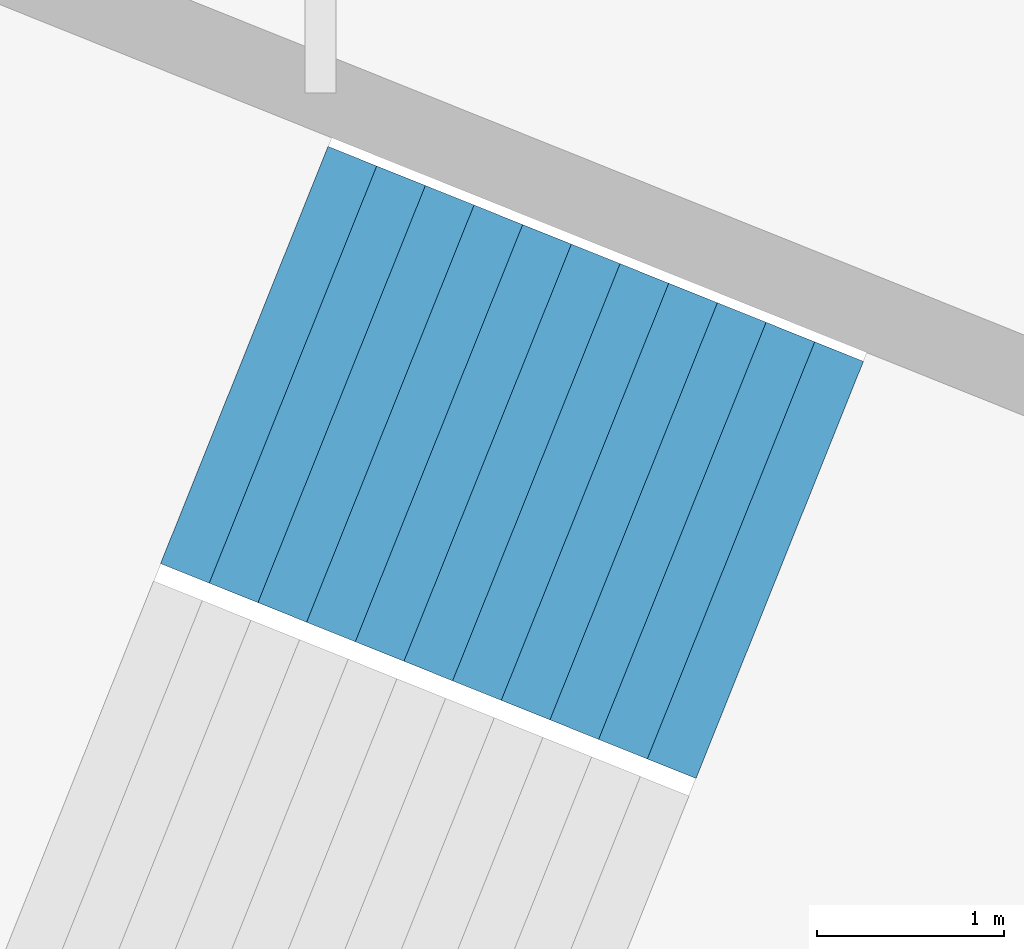
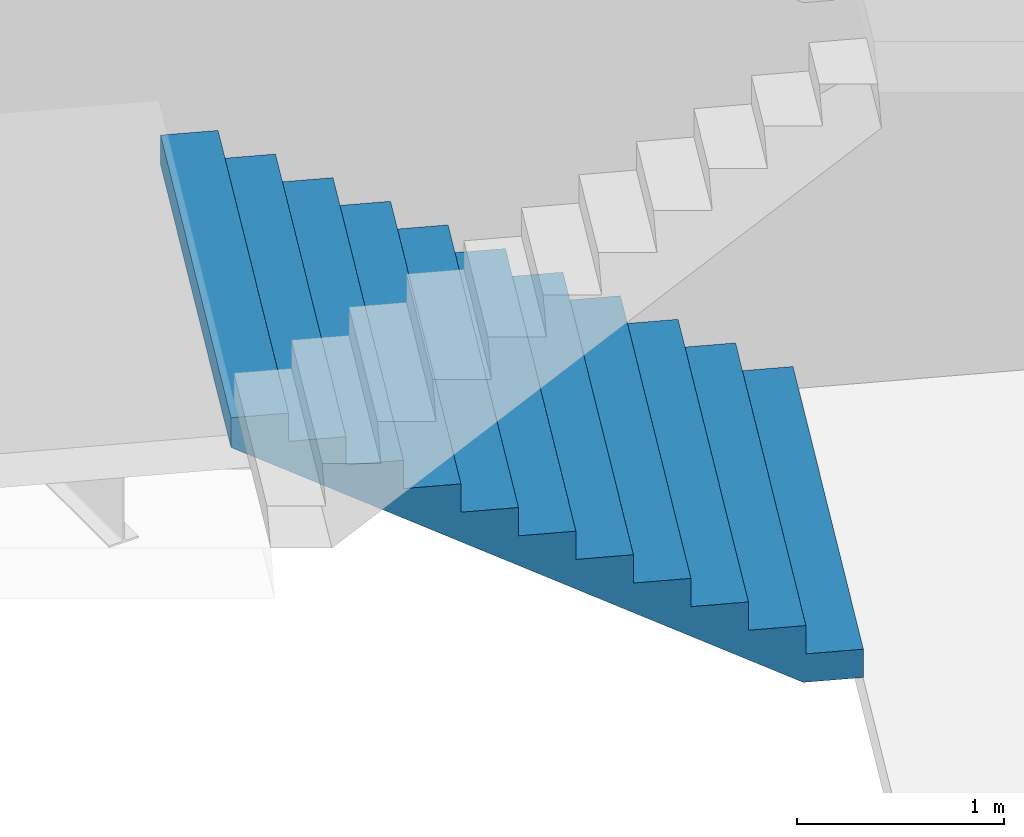
# One storey, part 36 of 74: 1 stair flight, 1 element without a shape of its own.
"""IFC4 building model written with IfcOpenShell, lengths in metres."""

import ifcopenshell
import ifcopenshell.guid

model = None  # the IFC model being written
_history = None  # IfcOwnerHistory: only IFC2X3 demands one
_inside = {}  # id of a spatial element -> (the spatial element, [elements in it])
_under = {}  # id of a project, library or spatial element -> (it, [spatial elements below it])
_declared = {}  # id of a project -> (the project, [libraries it declares])
_typed = {}  # id of a type object -> (the type object, [elements of that type])
_made_of = {}  # id of a material, layer set ... -> (it, [elements and type objects made of it])


def new_model(schema):
    """Start an empty IFC model of exactly this schema.

    Asked for "IFC4X3", IfcOpenShell would pick the latest addendum, in which some entities
    have other attributes; the version numbers below select the first issue.
    IFC2X3 requires an IfcOwnerHistory on every rooted entity: one is made here for all.
    """
    global model, _history
    if schema == "IFC4X3":
        model = ifcopenshell.file(schema_version=(4, 3, 0, 0))
    else:
        model = ifcopenshell.file(schema=schema)
    _inside.clear()
    _under.clear()
    _declared.clear()
    _typed.clear()
    _made_of.clear()
    _history = None
    if model.schema == "IFC2X3":
        org = make("IfcOrganization", Name="unknown")
        user = make(
            "IfcPersonAndOrganization",
            ThePerson=make("IfcPerson", FamilyName="unknown"),
            TheOrganization=org,
        )
        app = make(
            "IfcApplication",
            ApplicationDeveloper=org,
            Version="unknown",
            ApplicationFullName="unknown",
            ApplicationIdentifier="unknown",
        )
        _history = make(
            "IfcOwnerHistory",
            OwningUser=user,
            OwningApplication=app,
            ChangeAction="ADDED",
            CreationDate=0,
        )
    return model


def make(cls, **values):
    """One entity of the class cls with the attributes given. An attribute that is None is left unset."""
    return model.create_entity(
        cls, **{name: value for name, value in values.items() if value is not None}
    )


def rooted(cls, **values):
    """An entity with a GlobalId (a new one), such as an element, a storey or a relation."""
    return make(cls, GlobalId=ifcopenshell.guid.new(), OwnerHistory=_history, **values)


def si_unit(unit_type, name, prefix=None):
    """IfcSIUnit, for example si_unit("LENGTHUNIT", "METRE", prefix="MILLI")."""
    return make("IfcSIUnit", UnitType=unit_type, Prefix=prefix, Name=name)


def assignment(units):
    """IfcUnitAssignment: the units of a project."""
    return None if units is None else make("IfcUnitAssignment", Units=units)


def point(xyz):
    """IfcCartesianPoint."""
    return None if xyz is None else make("IfcCartesianPoint", Coordinates=xyz)


def direction(xyz):
    """IfcDirection."""
    return None if xyz is None else make("IfcDirection", DirectionRatios=xyz)


def frame(location, z_axis=None, x_axis=None):
    """IfcAxis2Placement3D, a coordinate frame: its origin and axes. An axis left out is left unset."""
    return make(
        "IfcAxis2Placement3D",
        Location=point(location),
        Axis=direction(z_axis),
        RefDirection=direction(x_axis),
    )


def origin():
    """The frame at (0, 0, 0) with its axes left unset."""
    return frame((0.0, 0.0, 0.0))


def place(relative_to, where):
    """IfcLocalPlacement: puts the frame where relative to a parent placement (None: the world)."""
    return make(
        "IfcLocalPlacement", PlacementRelTo=relative_to, RelativePlacement=where
    )


def context(
    kind, dimensions, precision=None, world=None, true_north=None, identifier=None
):
    """IfcGeometricRepresentationContext, for example the 3D "Model" context."""
    return make(
        "IfcGeometricRepresentationContext",
        ContextIdentifier=identifier,
        ContextType=kind,
        CoordinateSpaceDimension=dimensions,
        Precision=precision,
        WorldCoordinateSystem=world,
        TrueNorth=true_north,
    )


def subcontext(parent, identifier, kind, view, scale=None):
    """IfcGeometricRepresentationSubContext, for example "Body" below "Model"."""
    return make(
        "IfcGeometricRepresentationSubContext",
        ContextIdentifier=identifier,
        ContextType=kind,
        ParentContext=parent,
        TargetScale=scale,
        TargetView=view,
    )


def project(units=None, contexts=None):
    """IfcProject with its units and contexts."""
    return rooted(
        "IfcProject",
        Name="project",
        RepresentationContexts=contexts,
        UnitsInContext=assignment(units),
    )


def spatial(cls, under=None, at=None, **own):
    """A site, building, storey or space (cls), placed at a placement, below another one or the project."""
    s = rooted(cls, ObjectPlacement=at, **own)
    if under is not None:
        _under.setdefault(under.id(), (under, []))[1].append(s)
    return s


def point_list(points):
    """IfcCartesianPointList2D or 3D."""
    cls = (
        "IfcCartesianPointList2D" if len(points[0]) == 2 else "IfcCartesianPointList3D"
    )
    return make(cls, CoordList=points)


def triangles(points, corners, closed=None, point_numbers=None):
    """IfcTriangulatedFaceSet: each triangle names its three corners, points numbered from 1."""
    return make(
        "IfcTriangulatedFaceSet",
        Coordinates=point_list(points),
        Closed=closed,
        CoordIndex=corners,
        PnIndex=point_numbers,
    )


def shape(context_of_items, identifier, shape_type, items):
    """IfcShapeRepresentation: the items that make up one representation, for example the "Body"."""
    return make(
        "IfcShapeRepresentation",
        ContextOfItems=context_of_items,
        RepresentationIdentifier=identifier,
        RepresentationType=shape_type,
        Items=items,
    )


def material(Name=None, Category=None):
    """IfcMaterial."""
    return make("IfcMaterial", Name=Name, Category=Category)


def made_of(thing, what):
    """Note that an element or type object is made of a material, layer set ...; save() writes the relation."""
    if what is not None:
        _made_of.setdefault(what.id(), (what, []))[1].append(thing)
    return thing


def type_object(cls, material=None, **own):
    """A type object (cls), such as IfcWallType, which elements share."""
    return made_of(rooted(cls, **own), material)


def element(
    cls,
    number,
    at=None,
    inside=None,
    cuts=None,
    type_object=None,
    material=None,
    context=None,
    identifier="Body",
    shape_type=None,
    held_by="IfcProductDefinitionShape",
    body=None,
    shapes=None,
    **own,
):
    """One element of the class cls, such as IfcWall. Its Tag is "e" and its number.

    at: its placement. inside: the storey or other place that contains it. cuts: it is an
    opening in that element (IfcRelVoidsElement). A single representation is given by context,
    identifier, shape_type and body (its items); several are given by shapes. held_by: the class
    of the entity that holds the representations. save() writes the other relations.
    """
    e = rooted(cls, Tag="e%d" % number, ObjectPlacement=at, **own)
    if body is not None:
        shapes = [shape(context, identifier, shape_type, body)]
    if shapes is not None:
        e.Representation = make(held_by, Representations=shapes)
    if inside is not None:
        _inside.setdefault(inside.id(), (inside, []))[1].append(e)
    if cuts is not None:
        rooted(
            "IfcRelVoidsElement", RelatingBuildingElement=cuts, RelatedOpeningElement=e
        )
    if type_object is not None:
        _typed.setdefault(type_object.id(), (type_object, []))[1].append(e)
    return made_of(e, material)


def aggregate(whole, parts):
    """IfcRelAggregates: a whole, such as a stair, and the parts it consists of."""
    return rooted("IfcRelAggregates", RelatingObject=whole, RelatedObjects=parts)


def save(model, path):
    """Write the relations noted so far, then the file.

    IfcRelAggregates (storeys below a building ...), IfcRelContainedInSpatialStructure (elements
    in a storey), IfcRelDefinesByType, IfcRelAssociatesMaterial and IfcRelDeclares: one each for
    every whole, place, type object, material and project.
    """
    for whole, parts in _under.values():
        aggregate(whole, parts)
    for where, things in _inside.values():
        rooted(
            "IfcRelContainedInSpatialStructure",
            RelatedElements=things,
            RelatingStructure=where,
        )
    for kind, things in _typed.values():
        rooted("IfcRelDefinesByType", RelatedObjects=things, RelatingType=kind)
    for what, things in _made_of.values():
        rooted("IfcRelAssociatesMaterial", RelatedObjects=things, RelatingMaterial=what)
    for by, libraries in _declared.values():
        rooted("IfcRelDeclares", RelatingContext=by, RelatedDefinitions=libraries)
    model.write(path)


model = new_model("IFC4")

# Units and contexts
model_context = context("Model", 3, precision=1e-05, world=origin(), true_north=direction((0.0, 1.0)))
body_context = subcontext(model_context, "Body", "Model", "MODEL_VIEW")
ifc_project = project(units=[si_unit("LENGTHUNIT", "METRE"), si_unit("AREAUNIT", "SQUARE_METRE"), si_unit("VOLUMEUNIT", "CUBIC_METRE"), si_unit("PLANEANGLEUNIT", "RADIAN"), si_unit("MASSUNIT", "GRAM", prefix="KILO")], contexts=[model_context])

# Site, building, storey
site_placement = place(None, origin())
site = spatial("IfcSite", under=ifc_project, at=site_placement, CompositionType="ELEMENT")
building_placement = place(site_placement, origin())
building = spatial("IfcBuilding", under=site, at=building_placement, Name="Lantaw Convention Tower", CompositionType="ELEMENT")
storey_placement = place(building_placement, frame((0.0, 0.0, 6.5)))
storey = spatial("IfcBuildingStorey", under=building, at=storey_placement, Name="L01", CompositionType="ELEMENT", Elevation=6.5)

# Stair, stair flight
ifc_material = material(Name="Concrete C35/45", Category="concrete")
stair_type = type_object("IfcStairType", Name="Exit stair 2400 riser 166.67 in 4 flights", PredefinedType="HALF_TURN_STAIR", material=ifc_material)
stair_placement = place(storey_placement, origin())
stair = element("IfcStair", 1, at=stair_placement, inside=storey, type_object=stair_type, Name="Podium exit stair P8 L01", PredefinedType="HALF_TURN_STAIR")
stair_flight_type = type_object("IfcStairFlightType", Name="Stair flight 2400 riser 166.67", PredefinedType="STRAIGHT", material=ifc_material)
stair_flight_placement = place(storey_placement, frame((-35.799560546875, 15.71826171875, 0.0), z_axis=(0.0, 0.0, 1.0), x_axis=(-0.928015168305, 0.372542410198, 0.0)))
stair_flight = element("IfcStairFlight", 2, at=stair_flight_placement, type_object=stair_flight_type, Name="P8 flight 1", NumberOfRisers=12, NumberOfTreads=11, PredefinedType="STRAIGHT", RiserHeight=0.166666667, TreadLength=0.28, context=body_context, shape_type="Tessellation", body=[
    triangles([(0.0, 1.199951171875, 0.0), (0.0, 1.199951171875, 0.166666667), (0.28, 1.199951171875, 0.0), (0.28, 1.199951171875, 0.166666667), (0.28, 1.199951171875, 0.333333334), (0.29307345806906726, 1.199951171875, 0.0), (0.29307345806906726, 1.199951171875, 0.333333334), (0.56, 1.199951171875, 0.15888484670522965), (0.56, 1.199951171875, 0.333333334), (0.56, 1.199951171875, 0.500000001), (0.8400000000000001, 1.199951171875, 0.3255515137052296), (0.8400000000000001, 1.199951171875, 0.500000001), (0.8400000000000001, 1.199951171875, 0.666666668), (1.12, 1.199951171875, 0.4922181807052296), (1.12, 1.199951171875, 0.666666668), (1.12, 1.199951171875, 0.833333335), (1.4000000000000001, 1.199951171875, 0.6588848477052296), (1.4000000000000001, 1.199951171875, 0.833333335), (1.4000000000000001, 1.199951171875, 1.000000002), (1.6800000000000002, 1.199951171875, 0.8255515147052296), (1.6800000000000002, 1.199951171875, 1.000000002), (1.6800000000000002, 1.199951171875, 1.166666669), (1.9600000000000002, 1.199951171875, 0.9922181817052296), (1.9600000000000002, 1.199951171875, 1.166666669), (1.9600000000000002, 1.199951171875, 1.333333336), (2.24, 1.199951171875, 1.1588848487052295), (2.24, 1.199951171875, 1.333333336), (2.24, 1.199951171875, 1.5000000029999998), (2.5200000000000005, 1.199951171875, 1.3255515157052296), (2.5200000000000005, 1.199951171875, 1.5000000029999998), (2.5200000000000005, 1.199951171875, 1.66666667), (2.8000000000000003, 1.199951171875, 1.4922181827052294), (2.8000000000000003, 1.199951171875, 1.66666667), (2.8000000000000003, 1.199951171875, 1.833333337), (3.08, 1.199951171875, 1.6588848497052293), (3.08, 1.199951171875, 1.833333337), (0.0, -1.199951171875, 0.0), (0.0, -1.199951171875, 0.166666667), (0.28, -1.199951171875, 0.0), (0.28, -1.199951171875, 0.166666667), (0.28, -1.199951171875, 0.333333334), (0.29307345806906726, -1.199951171875, 0.0), (0.29307345806906726, -1.199951171875, 0.333333334), (0.56, -1.199951171875, 0.15888484670522965), (0.56, -1.199951171875, 0.333333334), (0.56, -1.199951171875, 0.500000001), (0.8400000000000001, -1.199951171875, 0.3255515137052296), (0.8400000000000001, -1.199951171875, 0.500000001), (0.8400000000000001, -1.199951171875, 0.666666668), (1.12, -1.199951171875, 0.4922181807052296), (1.12, -1.199951171875, 0.666666668), (1.12, -1.199951171875, 0.833333335), (1.4000000000000001, -1.199951171875, 0.6588848477052296), (1.4000000000000001, -1.199951171875, 0.833333335), (1.4000000000000001, -1.199951171875, 1.000000002), (1.6800000000000002, -1.199951171875, 0.8255515147052296), (1.6800000000000002, -1.199951171875, 1.000000002), (1.6800000000000002, -1.199951171875, 1.166666669), (1.9600000000000002, -1.199951171875, 0.9922181817052296), (1.9600000000000002, -1.199951171875, 1.166666669), (1.9600000000000002, -1.199951171875, 1.333333336), (2.24, -1.199951171875, 1.1588848487052295), (2.24, -1.199951171875, 1.333333336), (2.24, -1.199951171875, 1.5000000029999998), (2.5200000000000005, -1.199951171875, 1.3255515157052296), (2.5200000000000005, -1.199951171875, 1.5000000029999998), (2.5200000000000005, -1.199951171875, 1.66666667), (2.8000000000000003, -1.199951171875, 1.4922181827052294), (2.8000000000000003, -1.199951171875, 1.66666667), (2.8000000000000003, -1.199951171875, 1.833333337), (3.08, -1.199951171875, 1.6588848497052293), (3.08, -1.199951171875, 1.833333337), (0.0, 0.239990234375, 0.166666667), (0.0, 0.239990234375, 0.0), (0.0, 0.1199951171875, 0.166666667), (0.0, 0.1199951171875, 0.0), (0.0, 0.0, 0.166666667), (0.0, 0.0, 0.0), (0.0, -0.1199951171875, 0.166666667), (0.0, -0.1199951171875, 0.0), (0.0, -0.239990234375, 0.166666667), (0.0, -0.239990234375, 0.0), (0.28, 0.239990234375, 0.333333334), (0.28, 0.239990234375, 0.166666667), (0.28, 0.1199951171875, 0.333333334), (0.28, 0.1199951171875, 0.166666667), (0.28, 0.0, 0.333333334), (0.28, 0.0, 0.166666667), (0.28, -0.1199951171875, 0.333333334), (0.28, -0.1199951171875, 0.166666667), (0.28, -0.239990234375, 0.333333334), (0.28, -0.239990234375, 0.166666667), (0.56, 0.239990234375, 0.500000001), (0.56, 0.239990234375, 0.333333334), (0.56, 0.1199951171875, 0.500000001), (0.56, 0.1199951171875, 0.333333334), (0.56, 0.0, 0.500000001), (0.56, 0.0, 0.333333334), (0.56, -0.1199951171875, 0.500000001), (0.56, -0.1199951171875, 0.333333334), (0.56, -0.239990234375, 0.500000001), (0.56, -0.239990234375, 0.333333334), (0.8400000000000001, 0.239990234375, 0.666666668), (0.8400000000000001, 0.239990234375, 0.500000001), (0.8400000000000001, 0.1199951171875, 0.666666668), (0.8400000000000001, 0.1199951171875, 0.500000001), (0.8400000000000001, 0.0, 0.666666668), (0.8400000000000001, 0.0, 0.500000001), (0.8400000000000001, -0.1199951171875, 0.666666668), (0.8400000000000001, -0.1199951171875, 0.500000001), (0.8400000000000001, -0.239990234375, 0.666666668), (0.8400000000000001, -0.239990234375, 0.500000001), (1.12, 0.239990234375, 0.833333335), (1.12, 0.239990234375, 0.666666668), (1.12, 0.1199951171875, 0.833333335), (1.12, 0.1199951171875, 0.666666668), (1.12, 0.0, 0.833333335), (1.12, 0.0, 0.666666668), (1.12, -0.1199951171875, 0.833333335), (1.12, -0.1199951171875, 0.666666668), (1.12, -0.239990234375, 0.833333335), (1.12, -0.239990234375, 0.666666668), (1.4000000000000001, 0.239990234375, 1.000000002), (1.4000000000000001, 0.239990234375, 0.833333335), (1.4000000000000001, 0.1199951171875, 1.000000002), (1.4000000000000001, 0.1199951171875, 0.833333335), (1.4000000000000001, 0.0, 1.000000002), (1.4000000000000001, 0.0, 0.833333335), (1.4000000000000001, -0.1199951171875, 1.000000002), (1.4000000000000001, -0.1199951171875, 0.833333335), (1.4000000000000001, -0.239990234375, 1.000000002), (1.4000000000000001, -0.239990234375, 0.833333335), (1.6800000000000002, 0.239990234375, 1.166666669), (1.6800000000000002, 0.239990234375, 1.000000002), (1.6800000000000002, 0.1199951171875, 1.166666669), (1.6800000000000002, 0.1199951171875, 1.000000002), (1.6800000000000002, 0.0, 1.166666669), (1.6800000000000002, 0.0, 1.000000002), (1.6800000000000002, -0.1199951171875, 1.166666669), (1.6800000000000002, -0.1199951171875, 1.000000002), (1.6800000000000002, -0.239990234375, 1.166666669), (1.6800000000000002, -0.239990234375, 1.000000002), (1.9600000000000002, 0.239990234375, 1.333333336), (1.9600000000000002, 0.239990234375, 1.166666669), (1.9600000000000002, 0.1199951171875, 1.333333336), (1.9600000000000002, 0.1199951171875, 1.166666669), (1.9600000000000002, 0.0, 1.333333336), (1.9600000000000002, 0.0, 1.166666669), (1.9600000000000002, -0.1199951171875, 1.333333336), (1.9600000000000002, -0.1199951171875, 1.166666669), (1.9600000000000002, -0.239990234375, 1.333333336), (1.9600000000000002, -0.239990234375, 1.166666669), (2.24, 0.239990234375, 1.5000000029999998), (2.24, 0.239990234375, 1.333333336), (2.24, 0.1199951171875, 1.5000000029999998), (2.24, 0.1199951171875, 1.333333336), (2.24, 0.0, 1.5000000029999998), (2.24, 0.0, 1.333333336), (2.24, -0.1199951171875, 1.5000000029999998), (2.24, -0.1199951171875, 1.333333336), (2.24, -0.239990234375, 1.5000000029999998), (2.24, -0.239990234375, 1.333333336), (2.5200000000000005, 0.239990234375, 1.66666667), (2.5200000000000005, 0.239990234375, 1.5000000029999998), (2.5200000000000005, 0.1199951171875, 1.66666667), (2.5200000000000005, 0.1199951171875, 1.5000000029999998), (2.5200000000000005, 0.0, 1.66666667), (2.5200000000000005, 0.0, 1.5000000029999998), (2.5200000000000005, -0.1199951171875, 1.66666667), (2.5200000000000005, -0.1199951171875, 1.5000000029999998), (2.5200000000000005, -0.239990234375, 1.66666667), (2.5200000000000005, -0.239990234375, 1.5000000029999998), (2.8000000000000003, 0.239990234375, 1.833333337), (2.8000000000000003, 0.239990234375, 1.66666667), (2.8000000000000003, 0.1199951171875, 1.833333337), (2.8000000000000003, 0.1199951171875, 1.66666667), (2.8000000000000003, 0.0, 1.833333337), (2.8000000000000003, 0.0, 1.66666667), (2.8000000000000003, -0.1199951171875, 1.833333337), (2.8000000000000003, -0.1199951171875, 1.66666667), (2.8000000000000003, -0.239990234375, 1.833333337), (2.8000000000000003, -0.239990234375, 1.66666667), (0.29307345806906726, 0.239990234375, 0.333333334), (0.29307345806906726, 0.1199951171875, 0.333333334), (0.29307345806906726, 0.0, 0.333333334), (0.29307345806906726, -0.1199951171875, 0.333333334), (0.29307345806906726, -0.239990234375, 0.333333334), (3.08, 0.239990234375, 1.833333337), (3.08, 0.1199951171875, 1.833333337), (3.08, 0.0, 1.833333337), (3.08, -0.1199951171875, 1.833333337), (3.08, -0.239990234375, 1.833333337), (3.08, 0.239990234375, 1.6588848497052293), (3.08, 0.1199951171875, 1.6588848497052293), (3.08, 0.0, 1.6588848497052293), (3.08, -0.1199951171875, 1.6588848497052293), (3.08, -0.239990234375, 1.6588848497052293), (2.8000000000000003, 0.239990234375, 1.4922181827052294), (2.8000000000000003, 0.1199951171875, 1.4922181827052294), (2.8000000000000003, 0.0, 1.4922181827052294), (2.8000000000000003, -0.1199951171875, 1.4922181827052294), (2.8000000000000003, -0.239990234375, 1.4922181827052294), (2.5200000000000005, 0.239990234375, 1.3255515157052296), (2.5200000000000005, 0.1199951171875, 1.3255515157052296), (2.5200000000000005, 0.0, 1.3255515157052296), (2.5200000000000005, -0.1199951171875, 1.3255515157052296), (2.5200000000000005, -0.239990234375, 1.3255515157052296), (2.24, 0.239990234375, 1.1588848487052295), (2.24, 0.1199951171875, 1.1588848487052295), (2.24, 0.0, 1.1588848487052295), (2.24, -0.1199951171875, 1.1588848487052295), (2.24, -0.239990234375, 1.1588848487052295), (1.9600000000000002, 0.239990234375, 0.9922181817052296), (1.9600000000000002, 0.1199951171875, 0.9922181817052296), (1.9600000000000002, 0.0, 0.9922181817052296), (1.9600000000000002, -0.1199951171875, 0.9922181817052296), (1.9600000000000002, -0.239990234375, 0.9922181817052296), (1.6800000000000002, 0.239990234375, 0.8255515147052296), (1.6800000000000002, 0.1199951171875, 0.8255515147052296), (1.6800000000000002, 0.0, 0.8255515147052296), (1.6800000000000002, -0.1199951171875, 0.8255515147052296), (1.6800000000000002, -0.239990234375, 0.8255515147052296), (1.4000000000000001, 0.239990234375, 0.6588848477052296), (1.4000000000000001, 0.1199951171875, 0.6588848477052296), (1.4000000000000001, 0.0, 0.6588848477052296), (1.4000000000000001, -0.1199951171875, 0.6588848477052296), (1.4000000000000001, -0.239990234375, 0.6588848477052296), (1.12, 0.239990234375, 0.4922181807052296), (1.12, 0.1199951171875, 0.4922181807052296), (1.12, 0.0, 0.4922181807052296), (1.12, -0.1199951171875, 0.4922181807052296), (1.12, -0.239990234375, 0.4922181807052296), (0.8400000000000001, 0.239990234375, 0.3255515137052296), (0.8400000000000001, 0.1199951171875, 0.3255515137052296), (0.8400000000000001, 0.0, 0.3255515137052296), (0.8400000000000001, -0.1199951171875, 0.3255515137052296), (0.8400000000000001, -0.239990234375, 0.3255515137052296), (0.56, 0.239990234375, 0.15888484670522965), (0.56, 0.1199951171875, 0.15888484670522965), (0.56, 0.0, 0.15888484670522965), (0.56, -0.1199951171875, 0.15888484670522965), (0.56, -0.239990234375, 0.15888484670522965), (0.29307345806906726, 0.239990234375, 0.0), (0.29307345806906726, 0.1199951171875, 0.0), (0.29307345806906726, 0.0, 0.0), (0.29307345806906726, -0.1199951171875, 0.0), (0.29307345806906726, -0.239990234375, 0.0), (0.28, 0.239990234375, 0.0), (0.28, 0.1199951171875, 0.0), (0.28, 0.0, 0.0), (0.28, -0.1199951171875, 0.0), (0.28, -0.239990234375, 0.0)], [[1, 4, 3], [1, 2, 4], [3, 4, 6], [4, 7, 6], [4, 5, 7], [6, 9, 8], [6, 7, 9], [8, 9, 11], [9, 12, 11], [9, 10, 12], [11, 12, 14], [12, 15, 14], [12, 13, 15], [14, 15, 17], [15, 18, 17], [15, 16, 18], [17, 18, 20], [18, 21, 20], [18, 19, 21], [20, 21, 23], [21, 24, 23], [21, 22, 24], [23, 24, 26], [24, 27, 26], [24, 25, 27], [26, 27, 29], [27, 30, 29], [27, 28, 30], [29, 30, 32], [30, 33, 32], [30, 31, 33], [32, 33, 35], [33, 36, 35], [33, 34, 36], [37, 39, 40], [37, 40, 38], [39, 42, 40], [40, 42, 43], [40, 43, 41], [42, 44, 45], [42, 45, 43], [44, 47, 45], [45, 47, 48], [45, 48, 46], [47, 50, 48], [48, 50, 51], [48, 51, 49], [50, 53, 51], [51, 53, 54], [51, 54, 52], [53, 56, 54], [54, 56, 57], [54, 57, 55], [56, 59, 57], [57, 59, 60], [57, 60, 58], [59, 62, 60], [60, 62, 63], [60, 63, 61], [62, 65, 63], [63, 65, 66], [63, 66, 64], [65, 68, 66], [66, 68, 69], [66, 69, 67], [68, 71, 69], [69, 71, 72], [69, 72, 70], [1, 73, 2], [1, 74, 73], [74, 75, 73], [74, 76, 75], [76, 77, 75], [76, 78, 77], [78, 79, 77], [78, 80, 79], [80, 81, 79], [80, 82, 81], [82, 38, 81], [82, 37, 38], [4, 83, 5], [4, 84, 83], [84, 85, 83], [84, 86, 85], [86, 87, 85], [86, 88, 87], [88, 89, 87], [88, 90, 89], [90, 91, 89], [90, 92, 91], [92, 41, 91], [92, 40, 41], [9, 93, 10], [9, 94, 93], [94, 95, 93], [94, 96, 95], [96, 97, 95], [96, 98, 97], [98, 99, 97], [98, 100, 99], [100, 101, 99], [100, 102, 101], [102, 46, 101], [102, 45, 46], [12, 103, 13], [12, 104, 103], [104, 105, 103], [104, 106, 105], [106, 107, 105], [106, 108, 107], [108, 109, 107], [108, 110, 109], [110, 111, 109], [110, 112, 111], [112, 49, 111], [112, 48, 49], [15, 113, 16], [15, 114, 113], [114, 115, 113], [114, 116, 115], [116, 117, 115], [116, 118, 117], [118, 119, 117], [118, 120, 119], [120, 121, 119], [120, 122, 121], [122, 52, 121], [122, 51, 52], [18, 123, 19], [18, 124, 123], [124, 125, 123], [124, 126, 125], [126, 127, 125], [126, 128, 127], [128, 129, 127], [128, 130, 129], [130, 131, 129], [130, 132, 131], [132, 55, 131], [132, 54, 55], [21, 133, 22], [21, 134, 133], [134, 135, 133], [134, 136, 135], [136, 137, 135], [136, 138, 137], [138, 139, 137], [138, 140, 139], [140, 141, 139], [140, 142, 141], [142, 58, 141], [142, 57, 58], [24, 143, 25], [24, 144, 143], [144, 145, 143], [144, 146, 145], [146, 147, 145], [146, 148, 147], [148, 149, 147], [148, 150, 149], [150, 151, 149], [150, 152, 151], [152, 61, 151], [152, 60, 61], [27, 153, 28], [27, 154, 153], [154, 155, 153], [154, 156, 155], [156, 157, 155], [156, 158, 157], [158, 159, 157], [158, 160, 159], [160, 161, 159], [160, 162, 161], [162, 64, 161], [162, 63, 64], [30, 163, 31], [30, 164, 163], [164, 165, 163], [164, 166, 165], [166, 167, 165], [166, 168, 167], [168, 169, 167], [168, 170, 169], [170, 171, 169], [170, 172, 171], [172, 67, 171], [172, 66, 67], [33, 173, 34], [33, 174, 173], [174, 175, 173], [174, 176, 175], [176, 177, 175], [176, 178, 177], [178, 179, 177], [178, 180, 179], [180, 181, 179], [180, 182, 181], [182, 70, 181], [182, 69, 70], [2, 84, 4], [2, 73, 84], [73, 86, 84], [73, 75, 86], [75, 88, 86], [75, 77, 88], [77, 90, 88], [77, 79, 90], [79, 92, 90], [79, 81, 92], [81, 40, 92], [81, 38, 40], [5, 183, 7], [5, 83, 183], [83, 184, 183], [83, 85, 184], [85, 185, 184], [85, 87, 185], [87, 186, 185], [87, 89, 186], [89, 187, 186], [89, 91, 187], [91, 43, 187], [91, 41, 43], [7, 94, 9], [7, 183, 94], [183, 96, 94], [183, 184, 96], [184, 98, 96], [184, 185, 98], [185, 100, 98], [185, 186, 100], [186, 102, 100], [186, 187, 102], [187, 45, 102], [187, 43, 45], [10, 104, 12], [10, 93, 104], [93, 106, 104], [93, 95, 106], [95, 108, 106], [95, 97, 108], [97, 110, 108], [97, 99, 110], [99, 112, 110], [99, 101, 112], [101, 48, 112], [101, 46, 48], [13, 114, 15], [13, 103, 114], [103, 116, 114], [103, 105, 116], [105, 118, 116], [105, 107, 118], [107, 120, 118], [107, 109, 120], [109, 122, 120], [109, 111, 122], [111, 51, 122], [111, 49, 51], [16, 124, 18], [16, 113, 124], [113, 126, 124], [113, 115, 126], [115, 128, 126], [115, 117, 128], [117, 130, 128], [117, 119, 130], [119, 132, 130], [119, 121, 132], [121, 54, 132], [121, 52, 54], [19, 134, 21], [19, 123, 134], [123, 136, 134], [123, 125, 136], [125, 138, 136], [125, 127, 138], [127, 140, 138], [127, 129, 140], [129, 142, 140], [129, 131, 142], [131, 57, 142], [131, 55, 57], [22, 144, 24], [22, 133, 144], [133, 146, 144], [133, 135, 146], [135, 148, 146], [135, 137, 148], [137, 150, 148], [137, 139, 150], [139, 152, 150], [139, 141, 152], [141, 60, 152], [141, 58, 60], [25, 154, 27], [25, 143, 154], [143, 156, 154], [143, 145, 156], [145, 158, 156], [145, 147, 158], [147, 160, 158], [147, 149, 160], [149, 162, 160], [149, 151, 162], [151, 63, 162], [151, 61, 63], [28, 164, 30], [28, 153, 164], [153, 166, 164], [153, 155, 166], [155, 168, 166], [155, 157, 168], [157, 170, 168], [157, 159, 170], [159, 172, 170], [159, 161, 172], [161, 66, 172], [161, 64, 66], [31, 174, 33], [31, 163, 174], [163, 176, 174], [163, 165, 176], [165, 178, 176], [165, 167, 178], [167, 180, 178], [167, 169, 180], [169, 182, 180], [169, 171, 182], [171, 69, 182], [171, 67, 69], [34, 188, 36], [34, 173, 188], [173, 189, 188], [173, 175, 189], [175, 190, 189], [175, 177, 190], [177, 191, 190], [177, 179, 191], [179, 192, 191], [179, 181, 192], [181, 72, 192], [181, 70, 72], [36, 193, 35], [36, 188, 193], [188, 194, 193], [188, 189, 194], [189, 195, 194], [189, 190, 195], [190, 196, 195], [190, 191, 196], [191, 197, 196], [191, 192, 197], [192, 71, 197], [192, 72, 71], [35, 198, 32], [35, 193, 198], [193, 199, 198], [193, 194, 199], [194, 200, 199], [194, 195, 200], [195, 201, 200], [195, 196, 201], [196, 202, 201], [196, 197, 202], [197, 68, 202], [197, 71, 68], [32, 203, 29], [32, 198, 203], [198, 204, 203], [198, 199, 204], [199, 205, 204], [199, 200, 205], [200, 206, 205], [200, 201, 206], [201, 207, 206], [201, 202, 207], [202, 65, 207], [202, 68, 65], [29, 208, 26], [29, 203, 208], [203, 209, 208], [203, 204, 209], [204, 210, 209], [204, 205, 210], [205, 211, 210], [205, 206, 211], [206, 212, 211], [206, 207, 212], [207, 62, 212], [207, 65, 62], [26, 213, 23], [26, 208, 213], [208, 214, 213], [208, 209, 214], [209, 215, 214], [209, 210, 215], [210, 216, 215], [210, 211, 216], [211, 217, 216], [211, 212, 217], [212, 59, 217], [212, 62, 59], [23, 218, 20], [23, 213, 218], [213, 219, 218], [213, 214, 219], [214, 220, 219], [214, 215, 220], [215, 221, 220], [215, 216, 221], [216, 222, 221], [216, 217, 222], [217, 56, 222], [217, 59, 56], [20, 223, 17], [20, 218, 223], [218, 224, 223], [218, 219, 224], [219, 225, 224], [219, 220, 225], [220, 226, 225], [220, 221, 226], [221, 227, 226], [221, 222, 227], [222, 53, 227], [222, 56, 53], [17, 228, 14], [17, 223, 228], [223, 229, 228], [223, 224, 229], [224, 230, 229], [224, 225, 230], [225, 231, 230], [225, 226, 231], [226, 232, 231], [226, 227, 232], [227, 50, 232], [227, 53, 50], [14, 233, 11], [14, 228, 233], [228, 234, 233], [228, 229, 234], [229, 235, 234], [229, 230, 235], [230, 236, 235], [230, 231, 236], [231, 237, 236], [231, 232, 237], [232, 47, 237], [232, 50, 47], [11, 238, 8], [11, 233, 238], [233, 239, 238], [233, 234, 239], [234, 240, 239], [234, 235, 240], [235, 241, 240], [235, 236, 241], [236, 242, 241], [236, 237, 242], [237, 44, 242], [237, 47, 44], [8, 243, 6], [8, 238, 243], [238, 244, 243], [238, 239, 244], [239, 245, 244], [239, 240, 245], [240, 246, 245], [240, 241, 246], [241, 247, 246], [241, 242, 247], [242, 42, 247], [242, 44, 42], [6, 248, 3], [6, 243, 248], [243, 249, 248], [243, 244, 249], [244, 250, 249], [244, 245, 250], [245, 251, 250], [245, 246, 251], [246, 252, 251], [246, 247, 252], [247, 39, 252], [247, 42, 39], [3, 74, 1], [3, 248, 74], [248, 76, 74], [248, 249, 76], [249, 78, 76], [249, 250, 78], [250, 80, 78], [250, 251, 80], [251, 82, 80], [251, 252, 82], [252, 37, 82], [252, 39, 37]], closed=True),
])
aggregate(stair, [stair_flight])

save(model, "model.ifc")
